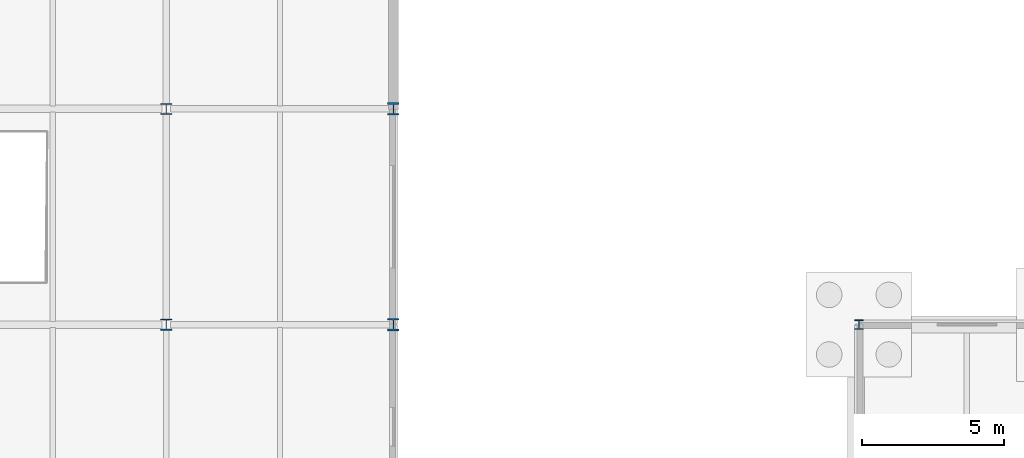
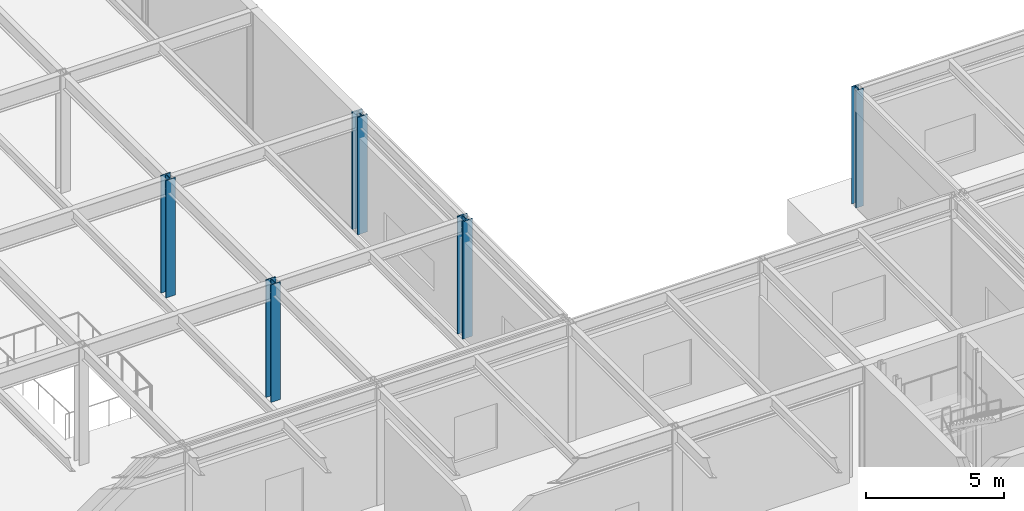
# One storey, part 21 of 62: 5 columns.
"""IFC4 building model written with IfcOpenShell, lengths in metres."""

from ifc_helpers import new_model, si_unit, direction, frame, origin, origin_2d, place, context, subcontext, project, spatial, i_section, extrude, material, material_profile, profile_set, type_object, element, save


model = new_model("IFC4")

# Units and contexts
model_context = context("Model", 3, precision=1e-05, world=origin(), true_north=direction((0.0, 1.0)))
body_context = subcontext(model_context, "Body", "Model", "MODEL_VIEW")
ifc_project = project(units=[si_unit("LENGTHUNIT", "METRE"), si_unit("AREAUNIT", "SQUARE_METRE"), si_unit("VOLUMEUNIT", "CUBIC_METRE"), si_unit("PLANEANGLEUNIT", "RADIAN"), si_unit("MASSUNIT", "GRAM", prefix="KILO")], contexts=[model_context])

# Site, building, storey
site_placement = place(None, origin())
site = spatial("IfcSite", under=ifc_project, at=site_placement, CompositionType="ELEMENT")
building_placement = place(site_placement, origin())
building = spatial("IfcBuilding", under=site, at=building_placement, Name="Zulena Civic Courthouse", CompositionType="ELEMENT")
storey_placement = place(building_placement, origin())
storey = spatial("IfcBuildingStorey", under=building, at=storey_placement, Name="L00", CompositionType="ELEMENT", Elevation=0.0)

# Columns
ifc_material = material(Name="Steel ASTM A992 Grade 50", Category="steel")
ifc_material_profile_1 = material_profile(ifc_material, i_section(OverallWidth=0.31298828125, OverallDepth=0.3330078125, WebThickness=0.01806640625, FlangeThickness=0.0283203125, FilletRadius=0.01513671875, at=origin_2d()), Name="W12X120")
ifc_profile_set_1 = profile_set([ifc_material_profile_1], Name="Steel ASTM A992 Grade 50")
column_type_1 = type_object("IfcColumnType", Name="Col_W12X120", PredefinedType="COLUMN", material=ifc_profile_set_1)
column_placement = place(storey_placement, frame((124.39990234375, 53.199951171875, 0.0), z_axis=(0.0, 0.0, 1.0), x_axis=(1.0, 0.0, 0.0)))
element("IfcColumn", 1, at=column_placement, inside=storey, type_object=column_type_1, Name="col:V3:L00:124.4:53.2", PredefinedType="COLUMN", context=body_context, shape_type="SweptSolid", body=[
    extrude(i_section(OverallWidth=0.31298828125, OverallDepth=0.3330078125, WebThickness=0.01806640625, FlangeThickness=0.0283203125, FilletRadius=0.01513671875, at=origin_2d()), origin(), (0.0, 0.0, 1.0), 5.18505859375),
])
ifc_material_profile_2 = material_profile(ifc_material, i_section(OverallWidth=0.40087890625, OverallDepth=0.39892578125, WebThickness=0.02490234375, FlangeThickness=0.03955078125, FilletRadius=0.01513671875, at=origin_2d()), Name="W14X211")
ifc_profile_set_2 = profile_set([ifc_material_profile_2], Name="Steel ASTM A992 Grade 50")
column_type_2 = type_object("IfcColumnType", Name="Col_W14X211", PredefinedType="COLUMN", material=ifc_profile_set_2)
for number, where, z_axis, x_axis, name in (
    (2, (100.0, 53.199951171875, 0.0), (0.0, 0.0, 1.0), (1.0, 0.0, 0.0), "col:V5:L00:100.0:53.2"),
    (3, (100.0, 60.800048828125, 0.0), (0.0, 0.0, 1.0), (1.0, 0.0, 0.0), "col:V5:L00:100.0:60.8"),
):
    element("IfcColumn", number, at=place(storey_placement, frame(where, z_axis=z_axis, x_axis=x_axis)), inside=storey, type_object=column_type_2, Name=name, PredefinedType="COLUMN", context=body_context, shape_type="SweptSolid", body=[
        extrude(i_section(OverallWidth=0.40087890625, OverallDepth=0.39892578125, WebThickness=0.02490234375, FlangeThickness=0.03955078125, FilletRadius=0.01513671875, at=origin_2d()), origin(), (0.0, 0.0, 1.0), 5.18505859375),
    ])
ifc_material_profile_3 = material_profile(ifc_material, i_section(OverallWidth=0.412109375, OverallDepth=0.43505859375, WebThickness=0.035888671875, FlangeThickness=0.057373046875, FilletRadius=0.01513671875, at=origin_2d()), Name="W14X311")
ifc_profile_set_3 = profile_set([ifc_material_profile_3], Name="Steel ASTM A992 Grade 50")
column_type_3 = type_object("IfcColumnType", Name="Col_W14X311", PredefinedType="COLUMN", material=ifc_profile_set_3)
for number, where, z_axis, x_axis, name in (
    (4, (108.0, 53.199951171875, 0.0), (0.0, 0.0, 1.0), (1.0, 0.0, 0.0), "col:V5:L00:108.0:53.2"),
    (5, (108.0, 60.800048828125, 0.0), (0.0, 0.0, 1.0), (1.0, 0.0, 0.0), "col:V5:L00:108.0:60.8"),
):
    element("IfcColumn", number, at=place(storey_placement, frame(where, z_axis=z_axis, x_axis=x_axis)), inside=storey, type_object=column_type_3, Name=name, PredefinedType="COLUMN", context=body_context, shape_type="SweptSolid", body=[
        extrude(i_section(OverallWidth=0.412109375, OverallDepth=0.43505859375, WebThickness=0.035888671875, FlangeThickness=0.057373046875, FilletRadius=0.01513671875, at=origin_2d()), origin(), (0.0, 0.0, 1.0), 5.18505859375),
    ])

save(model, "model.ifc")
